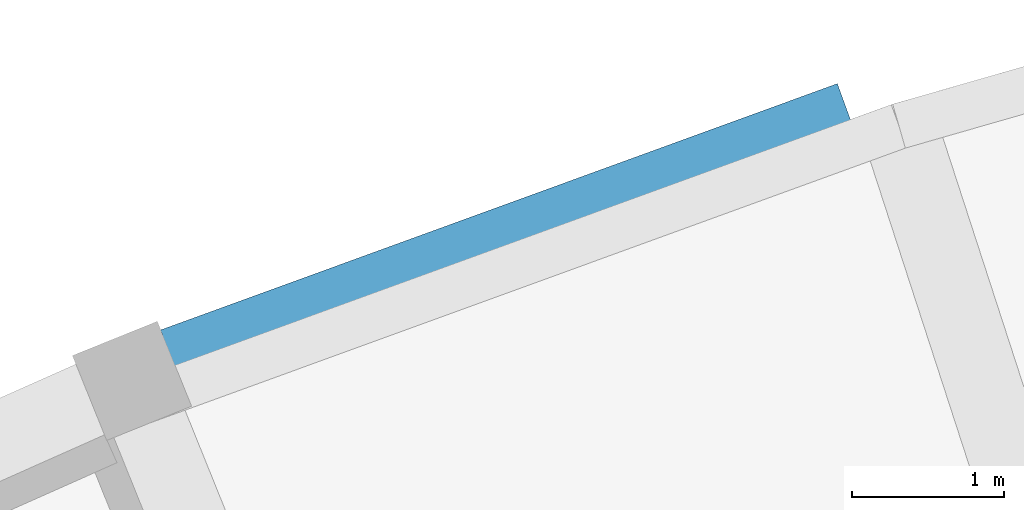
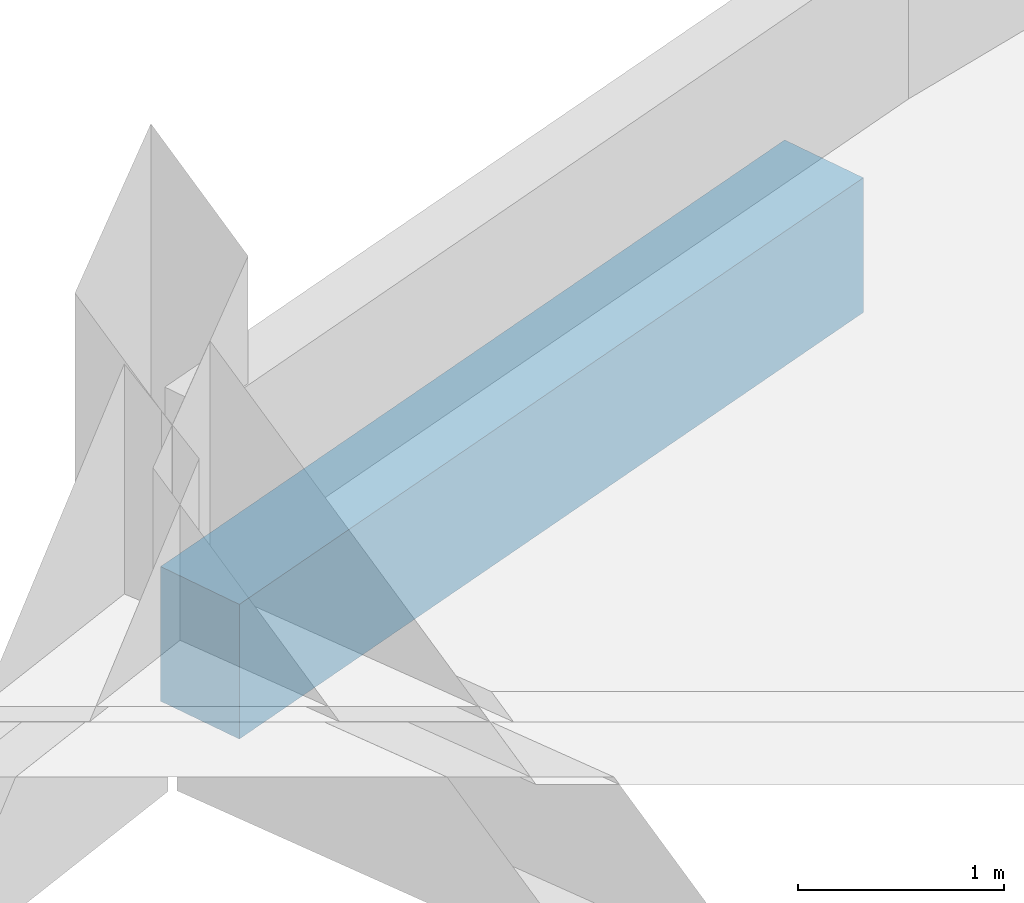
# One storey, part 11 of 132: 1 beam.
"""IFC4 building model written with IfcOpenShell, lengths in metres."""

from ifc_helpers import new_model, si_unit, direction, frame, origin, origin_2d, place, context, subcontext, project, spatial, rectangle, extrude, material, material_profile, profile_set, type_object, element, save


model = new_model("IFC4")

# Units and contexts
model_context = context("Model", 3, precision=1e-05, world=origin(), true_north=direction((0.0, 1.0)))
body_context = subcontext(model_context, "Body", "Model", "MODEL_VIEW")
ifc_project = project(units=[si_unit("LENGTHUNIT", "METRE"), si_unit("AREAUNIT", "SQUARE_METRE"), si_unit("VOLUMEUNIT", "CUBIC_METRE"), si_unit("PLANEANGLEUNIT", "RADIAN"), si_unit("MASSUNIT", "GRAM", prefix="KILO")], contexts=[model_context])

# Site, building, storey
site_placement = place(None, origin())
site = spatial("IfcSite", under=ifc_project, at=site_placement, CompositionType="ELEMENT")
building_placement = place(site_placement, origin())
building = spatial("IfcBuilding", under=site, at=building_placement, Name="Lunette Opera House", CompositionType="ELEMENT")
storey_placement = place(building_placement, frame((0.0, 0.0, 17.0)))
storey = spatial("IfcBuildingStorey", under=building, at=storey_placement, Name="L03", CompositionType="ELEMENT", Elevation=17.0)

# Beam
ifc_material = material(Name="Concrete C35/45", Category="concrete")
ifc_material_profile = material_profile(ifc_material, rectangle(XDim=0.5, YDim=0.800048828125, at=origin_2d()), Name="RC BEAM 500X800")
ifc_profile_set = profile_set([ifc_material_profile], Name="Concrete C35/45")
beam_type = type_object("IfcBeamType", Name="RC BEAM 500X800", PredefinedType="BEAM", material=ifc_profile_set)
beam_placement = place(storey_placement, frame((67.802978515625, 70.56494140625, -0.6201171875), z_axis=(0.939671138767, 0.342079158921, 0.0), x_axis=(-0.342079158921, 0.939671138767, 0.0)))
element("IfcBeam", 1, at=beam_placement, inside=storey, type_object=beam_type, Name="beam-FC-L03-L03-RG-AR-C-RL-08", PredefinedType="BEAM", context=body_context, shape_type="SweptSolid", body=[
    extrude(rectangle(XDim=0.5, YDim=0.800048828125, at=origin_2d()), origin(), (0.0, 0.0, 1.0), 4.723876953125),
])

save(model, "model.ifc")
